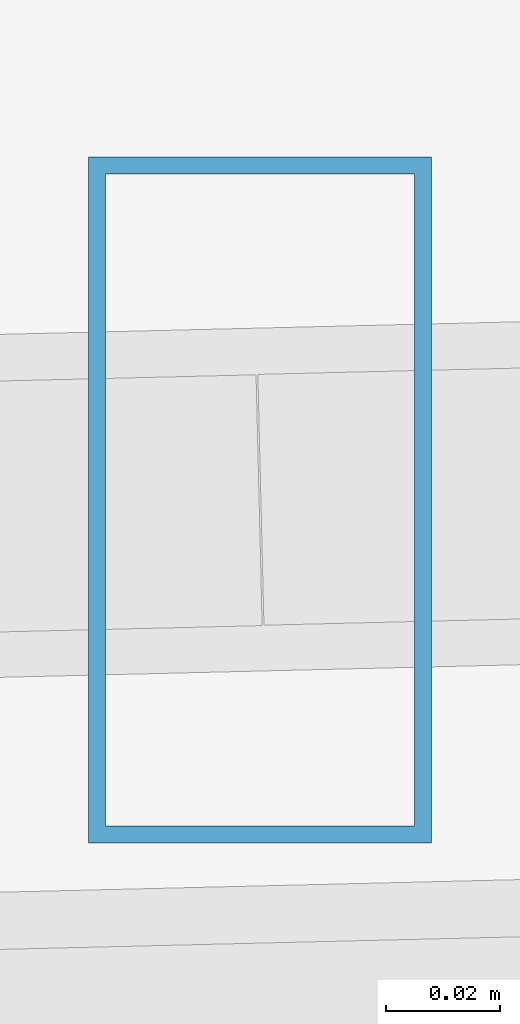
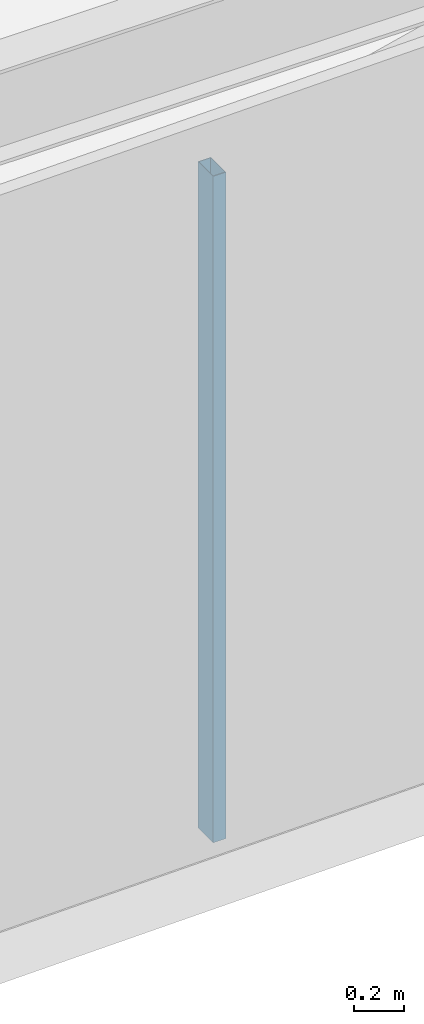
# One storey, part 13 of 44: 1 member, 1 element without a shape of its own.
"""IFC4 building model written with IfcOpenShell, lengths in metres."""

from ifc_helpers import new_model, si_unit, direction, frame, origin, origin_2d, place, context, subcontext, project, spatial, hollow_rectangle, extrude, source, transform, mapped, material, material_profile, profile_set, type_object, type_shapes, element, aggregate, save


model = new_model("IFC4")

# Units and contexts
model_context = context("Model", 3, precision=1e-05, world=origin(), true_north=direction((0.0, 1.0)))
body_context = subcontext(model_context, "Body", "Model", "MODEL_VIEW")
ifc_project = project(units=[si_unit("LENGTHUNIT", "METRE"), si_unit("AREAUNIT", "SQUARE_METRE"), si_unit("VOLUMEUNIT", "CUBIC_METRE"), si_unit("PLANEANGLEUNIT", "RADIAN"), si_unit("MASSUNIT", "GRAM", prefix="KILO")], contexts=[model_context])

# Site, building, storey
site_placement = place(None, origin())
site = spatial("IfcSite", under=ifc_project, at=site_placement, CompositionType="ELEMENT")
building_placement = place(site_placement, origin())
building = spatial("IfcBuilding", under=site, at=building_placement, Name="Caelisora Broadcast Tower", CompositionType="ELEMENT")
storey_placement = place(building_placement, frame((0.0, 0.0, 280.949951171875)))
storey = spatial("IfcBuildingStorey", under=building, at=storey_placement, Name="L74", CompositionType="ELEMENT", Elevation=280.949951171875)

# Curtain wall, member
ifc_material_1 = material(Name="Unitised Aluminium Insulated Shadow-Box Spandrel Curtain Wall", Category="aluminium")
curtain_wall_type = type_object("IfcCurtainWallType", Name="CW-SP3", PredefinedType="NOTDEFINED", material=ifc_material_1)
curtain_wall_placement = place(storey_placement, origin())
curtain_wall = element("IfcCurtainWall", 1, at=curtain_wall_placement, inside=storey, type_object=curtain_wall_type, Name="L74 curtain wall CW-SP3", PredefinedType="NOTDEFINED")
ifc_material_2 = material(Name="Aluminium 6063-T6 Anodised Terracotta Bronze", Category="aluminium")
ifc_material_profile = material_profile(ifc_material_2, hollow_rectangle(XDim=0.06005859375, YDim=0.1201171875, WallThickness=0.0029296875, at=origin_2d()), Name="Aluminium 6063-T6 Anodised Terracotta Bronze")
ifc_profile_set = profile_set([ifc_material_profile], Name="Aluminium 6063-T6 Anodised Terracotta Bronze")
member_type = type_object("IfcMemberType", Name="CWM-04", PredefinedType="MULLION", material=ifc_profile_set)
shared_shape = source(origin(), body_context, "Body", "SweptSolid", [
    extrude(hollow_rectangle(XDim=0.06005859375, YDim=0.1201171875, WallThickness=0.0029296875, at=origin_2d()), origin(), (0.0, 0.0, 1.0), 3.25),
])
type_shapes(member_type, [shared_shape])
member_placement = place(storey_placement, frame((40.228271484375, 8.793212890625, 0.0), z_axis=(0.0, 0.0, 1.0), x_axis=(1.0, 0.0, 0.0)))
member = element("IfcMember", 2, at=member_placement, type_object=member_type, Name="L74-CW-B06 mullion #1", PredefinedType="MULLION", context=body_context, shape_type="MappedRepresentation", body=[
    mapped(shared_shape, transform((0.0, 0.0, 0.0), scale=1.0)),
])
aggregate(curtain_wall, [member])

save(model, "model.ifc")
